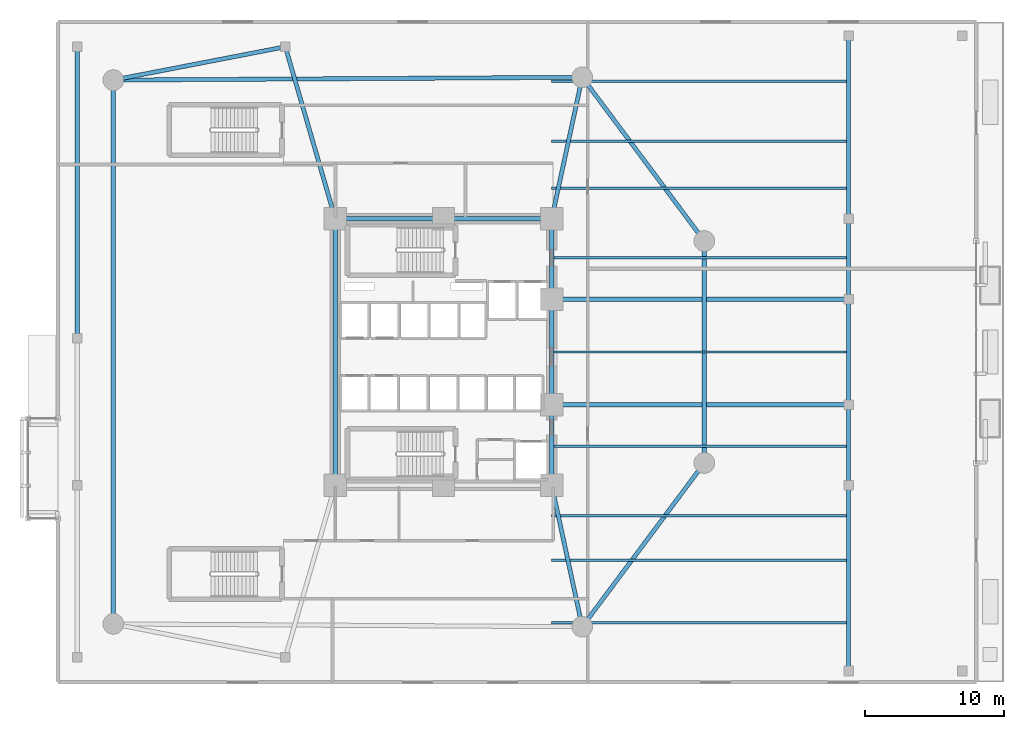
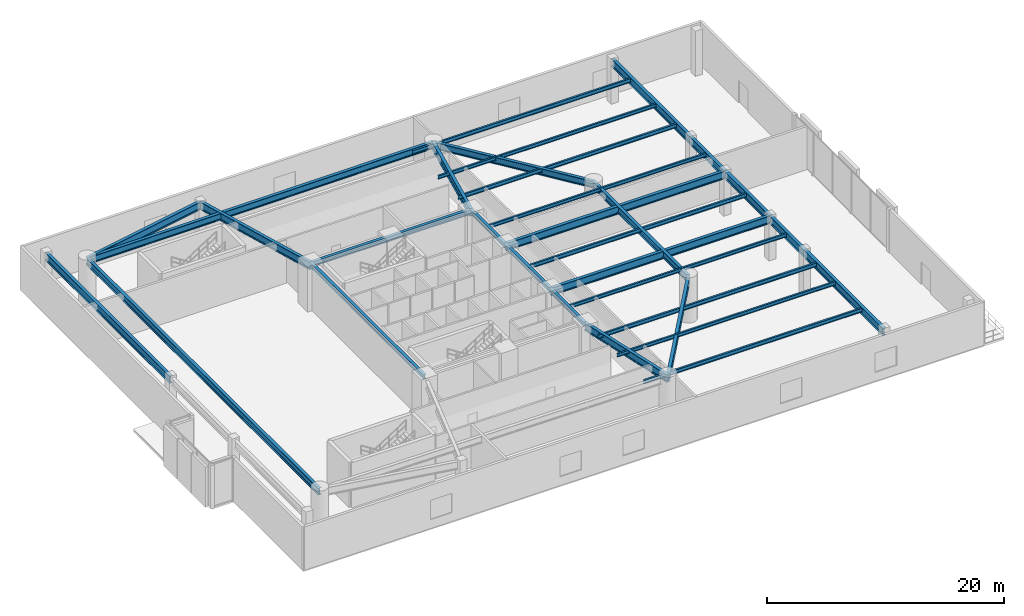
# One storey, part 5 of 15: 29 beams.
"""IFC4 building model written with IfcOpenShell, lengths in metres."""

from ifc_helpers import new_model, si_unit, direction, frame, origin, origin_2d, place, context, subcontext, project, spatial, i_section, extrude, material, material_profile, profile_set, type_object, element, save


model = new_model("IFC4")

# Units and contexts
model_context = context("Model", 3, precision=1e-05, world=origin(), true_north=direction((0.0, 1.0)))
body_context = subcontext(model_context, "Body", "Model", "MODEL_VIEW")
ifc_project = project(units=[si_unit("LENGTHUNIT", "METRE"), si_unit("AREAUNIT", "SQUARE_METRE"), si_unit("VOLUMEUNIT", "CUBIC_METRE"), si_unit("PLANEANGLEUNIT", "RADIAN"), si_unit("MASSUNIT", "GRAM", prefix="KILO")], contexts=[model_context])

# Site, building, storey
site_placement = place(None, origin())
site = spatial("IfcSite", under=ifc_project, at=site_placement, CompositionType="ELEMENT")
building_placement = place(site_placement, origin())
building = spatial("IfcBuilding", under=site, at=building_placement, Name="An Khanh Terracotta Commons", CompositionType="ELEMENT")
storey_placement = place(building_placement, frame((0.0, 0.0, 14.699951171875)))
storey = spatial("IfcBuildingStorey", under=building, at=storey_placement, Name="L04", CompositionType="ELEMENT", Elevation=14.699951171875)

# Beams
ifc_material = material(Name="Steel S355J2", Category="steel")
ifc_material_profile_1 = material_profile(ifc_material, i_section(OverallWidth=0.300048828125, OverallDepth=0.449951171875, WebThickness=0.013916015625, FlangeThickness=0.02587890625, FilletRadius=0.027099609375, at=origin_2d()), Name="HEB450")
ifc_profile_set_1 = profile_set([ifc_material_profile_1], Name="Steel S355J2")
beam_type_1 = type_object("IfcBeamType", Name="BM-HEB450", PredefinedType="BEAM", material=ifc_profile_set_1)
beam_1_placement = place(storey_placement, frame((37.199951171875, 14.39990234375, 4.22509765625), z_axis=(0.0, 1.0, 0.0), x_axis=(-1.0, 0.0, 0.0)))
element("IfcBeam", 1, at=beam_1_placement, inside=storey, type_object=beam_type_1, Name="L04 Core East Coupling Girder 1", PredefinedType="BEAM", context=body_context, shape_type="SweptSolid", body=[
    extrude(i_section(OverallWidth=0.300048828125, OverallDepth=0.449951171875, WebThickness=0.013916015625, FlangeThickness=0.02587890625, FilletRadius=0.027099609375, at=origin_2d()), origin(), (0.0, 0.0, 1.0), 5.800048828125),
])
beam_2_placement = place(storey_placement, frame((37.199951171875, 20.199951171875, 4.22509765625), z_axis=(0.0, 1.0, 0.0), x_axis=(-1.0, 0.0, 0.0)))
element("IfcBeam", 2, at=beam_2_placement, inside=storey, type_object=beam_type_1, Name="L04 Core East Coupling Girder 2", PredefinedType="BEAM", context=body_context, shape_type="SweptSolid", body=[
    extrude(i_section(OverallWidth=0.300048828125, OverallDepth=0.449951171875, WebThickness=0.013916015625, FlangeThickness=0.02587890625, FilletRadius=0.027099609375, at=origin_2d()), origin(), (0.0, 0.0, 1.0), 7.60009765625),
])
beam_3_placement = place(storey_placement, frame((37.199951171875, 27.800048828125, 4.22509765625), z_axis=(0.0, 1.0, 0.0), x_axis=(-1.0, 0.0, 0.0)))
element("IfcBeam", 3, at=beam_3_placement, inside=storey, type_object=beam_type_1, Name="L04 Core East Coupling Girder 3", PredefinedType="BEAM", context=body_context, shape_type="SweptSolid", body=[
    extrude(i_section(OverallWidth=0.300048828125, OverallDepth=0.449951171875, WebThickness=0.013916015625, FlangeThickness=0.02587890625, FilletRadius=0.027099609375, at=origin_2d()), origin(), (0.0, 0.0, 1.0), 5.800048828125),
])
beam_4_placement = place(storey_placement, frame((21.60009765625, 14.39990234375, 4.22509765625), z_axis=(0.0, 1.0, 0.0), x_axis=(-1.0, 0.0, 0.0)))
element("IfcBeam", 4, at=beam_4_placement, inside=storey, type_object=beam_type_1, Name="L04 Core West Coupling Girder", PredefinedType="BEAM", context=body_context, shape_type="SweptSolid", body=[
    extrude(i_section(OverallWidth=0.300048828125, OverallDepth=0.449951171875, WebThickness=0.013916015625, FlangeThickness=0.02587890625, FilletRadius=0.027099609375, at=origin_2d()), origin(), (0.0, 0.0, 1.0), 19.2001953125),
])
ifc_material_profile_2 = material_profile(ifc_material, i_section(OverallWidth=0.300048828125, OverallDepth=0.5, WebThickness=0.014404296875, FlangeThickness=0.028076171875, FilletRadius=0.027099609375, at=origin_2d()), Name="HEB500")
ifc_profile_set_2 = profile_set([ifc_material_profile_2], Name="Steel S355J2")
beam_type_2 = type_object("IfcBeamType", Name="BM-HEB500", PredefinedType="BEAM", material=ifc_profile_set_2)
beam_5_placement = place(storey_placement, frame((21.60009765625, 33.60009765625, 4.199951171875), z_axis=(1.0, 0.0, 0.0), x_axis=(0.0, 1.0, 0.0)))
element("IfcBeam", 5, at=beam_5_placement, inside=storey, type_object=beam_type_2, Name="L04 Core North Coupling Girder", PredefinedType="BEAM", context=body_context, shape_type="SweptSolid", body=[
    extrude(i_section(OverallWidth=0.300048828125, OverallDepth=0.5, WebThickness=0.014404296875, FlangeThickness=0.028076171875, FilletRadius=0.027099609375, at=origin_2d()), origin(), (0.0, 0.0, 1.0), 15.599853515625),
])
ifc_material_profile_3 = material_profile(ifc_material, i_section(OverallWidth=0.300048828125, OverallDepth=0.699951171875, WebThickness=0.01708984375, FlangeThickness=0.031982421875, FilletRadius=0.027099609375, at=origin_2d()), Name="HEB700")
ifc_profile_set_3 = profile_set([ifc_material_profile_3], Name="Steel S355J2")
beam_type_3 = type_object("IfcBeamType", Name="BM-HEB700", PredefinedType="BEAM", material=ifc_profile_set_3)
beam_6_placement = place(storey_placement, frame((39.39990234375, 4.199951171875, 4.10009765625), z_axis=(0.59782442166, 0.801627070942, 0.0), x_axis=(-0.801627070942, 0.59782442166, 0.0)))
element("IfcBeam", 6, at=beam_6_placement, inside=storey, type_object=beam_type_3, Name="L04 Podium Mega-Ring Girder 2", PredefinedType="BEAM", context=body_context, shape_type="SweptSolid", body=[
    extrude(i_section(OverallWidth=0.300048828125, OverallDepth=0.699951171875, WebThickness=0.01708984375, FlangeThickness=0.031982421875, FilletRadius=0.027099609375, at=origin_2d()), origin(), (0.0, 0.0, 1.0), 14.72021484375),
])
beam_7_placement = place(storey_placement, frame((48.199951171875, 16.0, 4.10009765625), z_axis=(0.0, 1.0, 0.0), x_axis=(-1.0, 0.0, 0.0)))
element("IfcBeam", 7, at=beam_7_placement, inside=storey, type_object=beam_type_3, Name="L04 Podium Mega-Ring Girder 3", PredefinedType="BEAM", context=body_context, shape_type="SweptSolid", body=[
    extrude(i_section(OverallWidth=0.300048828125, OverallDepth=0.699951171875, WebThickness=0.01708984375, FlangeThickness=0.031982421875, FilletRadius=0.027099609375, at=origin_2d()), origin(), (0.0, 0.0, 1.0), 16.0),
])
beam_8_placement = place(storey_placement, frame((48.199951171875, 32.0, 4.10009765625), z_axis=(-0.59782442166, 0.801627070942, 0.0), x_axis=(-0.801627070942, -0.59782442166, 0.0)))
element("IfcBeam", 8, at=beam_8_placement, inside=storey, type_object=beam_type_3, Name="L04 Podium Mega-Ring Girder 4", PredefinedType="BEAM", context=body_context, shape_type="SweptSolid", body=[
    extrude(i_section(OverallWidth=0.300048828125, OverallDepth=0.699951171875, WebThickness=0.01708984375, FlangeThickness=0.031982421875, FilletRadius=0.027099609375, at=origin_2d()), origin(), (0.0, 0.0, 1.0), 14.72021484375),
])
beam_9_placement = place(storey_placement, frame((39.39990234375, 43.800048828125, 4.10009765625), z_axis=(-0.999982502414, -0.005915645817, 0.0), x_axis=(0.005915645817, -0.999982502414, 0.0)))
element("IfcBeam", 9, at=beam_9_placement, inside=storey, type_object=beam_type_3, Name="L04 Podium Mega-Ring Girder 5", PredefinedType="BEAM", context=body_context, shape_type="SweptSolid", body=[
    extrude(i_section(OverallWidth=0.300048828125, OverallDepth=0.699951171875, WebThickness=0.01708984375, FlangeThickness=0.031982421875, FilletRadius=0.027099609375, at=origin_2d()), origin(), (0.0, 0.0, 1.0), 33.80029296875),
])
beam_10_placement = place(storey_placement, frame((5.60009765625, 43.60009765625, 4.10009765625), z_axis=(0.0, -1.0, 0.0), x_axis=(1.0, 0.0, 0.0)))
element("IfcBeam", 10, at=beam_10_placement, inside=storey, type_object=beam_type_3, Name="L04 Podium Mega-Ring Girder 6", PredefinedType="BEAM", context=body_context, shape_type="SweptSolid", body=[
    extrude(i_section(OverallWidth=0.300048828125, OverallDepth=0.699951171875, WebThickness=0.01708984375, FlangeThickness=0.031982421875, FilletRadius=0.027099609375, at=origin_2d()), origin(), (0.0, 0.0, 1.0), 39.2001953125),
])
ifc_material_profile_4 = material_profile(ifc_material, i_section(OverallWidth=0.300048828125, OverallDepth=0.800048828125, WebThickness=0.017578125, FlangeThickness=0.032958984375, FilletRadius=0.030029296875, at=origin_2d()), Name="HEB800")
ifc_profile_set_4 = profile_set([ifc_material_profile_4], Name="Steel S355J2")
beam_type_4 = type_object("IfcBeamType", Name="BM-HEB800", PredefinedType="BEAM", material=ifc_profile_set_4)
beam_11_placement = place(storey_placement, frame((3.0, 25.0, 4.050048828125), z_axis=(0.0, 1.0, 0.0), x_axis=(-1.0, 0.0, 0.0)))
element("IfcBeam", 11, at=beam_11_placement, inside=storey, type_object=beam_type_4, Name="L04 Primary Podium Girder 3", PredefinedType="BEAM", context=body_context, shape_type="SweptSolid", body=[
    extrude(i_section(OverallWidth=0.300048828125, OverallDepth=0.800048828125, WebThickness=0.017578125, FlangeThickness=0.032958984375, FilletRadius=0.030029296875, at=origin_2d()), origin(), (0.0, 0.0, 1.0), 21.0),
])
for number, where, z_axis, x_axis, name in (
    (12, (39.39990234375, 4.199951171875, 4.050048828125), (-0.210834365214, 0.977521800496, 0.0), (-0.977521800496, -0.210834365214, 0.0), "L04 Primary Podium Girder 6"),
    (13, (39.39990234375, 43.800048828125, 4.050048828125), (-0.210834365214, -0.977521800496, 0.0), (0.977521800496, -0.210834365214, 0.0), "L04 Primary Podium Girder 7"),
):
    element("IfcBeam", number, at=place(storey_placement, frame(where, z_axis=z_axis, x_axis=x_axis)), inside=storey, type_object=beam_type_4, Name=name, PredefinedType="BEAM", context=body_context, shape_type="SweptSolid", body=[
        extrude(i_section(OverallWidth=0.300048828125, OverallDepth=0.800048828125, WebThickness=0.017578125, FlangeThickness=0.032958984375, FilletRadius=0.030029296875, at=origin_2d()), origin(), (0.0, 0.0, 1.0), 10.4345703125),
    ])
beam_12_placement = place(storey_placement, frame((5.60009765625, 43.60009765625, 4.050048828125), z_axis=(0.981781013874, 0.190015896168, 0.0), x_axis=(-0.190015896168, 0.981781013874, 0.0)))
element("IfcBeam", 14, at=beam_12_placement, inside=storey, type_object=beam_type_4, Name="L04 Primary Podium Girder 8", PredefinedType="BEAM", context=body_context, shape_type="SweptSolid", body=[
    extrude(i_section(OverallWidth=0.300048828125, OverallDepth=0.800048828125, WebThickness=0.017578125, FlangeThickness=0.032958984375, FilletRadius=0.030029296875, at=origin_2d()), origin(), (0.0, 0.0, 1.0), 12.630126953125),
])
beam_13_placement = place(storey_placement, frame((18.0, 46.0, 4.050048828125), z_axis=(0.278819195264, -0.960343613689, 0.0), x_axis=(0.960343613689, 0.278819195264, 0.0)))
element("IfcBeam", 15, at=beam_13_placement, inside=storey, type_object=beam_type_4, Name="L04 Primary Podium Girder 9", PredefinedType="BEAM", context=body_context, shape_type="SweptSolid", body=[
    extrude(i_section(OverallWidth=0.300048828125, OverallDepth=0.800048828125, WebThickness=0.017578125, FlangeThickness=0.032958984375, FilletRadius=0.030029296875, at=origin_2d()), origin(), (0.0, 0.0, 1.0), 12.911865234375),
])
beam_14_placement = place(storey_placement, frame((58.60009765625, 20.199951171875, 4.050048828125), z_axis=(0.0, 1.0, 0.0), x_axis=(-1.0, 0.0, 0.0)))
element("IfcBeam", 16, at=beam_14_placement, inside=storey, type_object=beam_type_4, Name="L04 Primary Podium Girder 10", PredefinedType="BEAM", context=body_context, shape_type="SweptSolid", body=[
    extrude(i_section(OverallWidth=0.300048828125, OverallDepth=0.800048828125, WebThickness=0.017578125, FlangeThickness=0.032958984375, FilletRadius=0.030029296875, at=origin_2d()), origin(), (0.0, 0.0, 1.0), 7.60009765625),
])
beam_15_placement = place(storey_placement, frame((58.60009765625, 1.0, 4.050048828125), z_axis=(0.0, 1.0, 0.0), x_axis=(-1.0, 0.0, 0.0)))
element("IfcBeam", 17, at=beam_15_placement, inside=storey, type_object=beam_type_4, Name="L04 Primary Podium Girder 11", PredefinedType="BEAM", context=body_context, shape_type="SweptSolid", body=[
    extrude(i_section(OverallWidth=0.300048828125, OverallDepth=0.800048828125, WebThickness=0.017578125, FlangeThickness=0.032958984375, FilletRadius=0.030029296875, at=origin_2d()), origin(), (0.0, 0.0, 1.0), 19.199951171875),
])
beam_16_placement = place(storey_placement, frame((58.60009765625, 27.800048828125, 4.050048828125), z_axis=(0.0, 1.0, 0.0), x_axis=(-1.0, 0.0, 0.0)))
element("IfcBeam", 18, at=beam_16_placement, inside=storey, type_object=beam_type_4, Name="L04 Primary Podium Girder 12", PredefinedType="BEAM", context=body_context, shape_type="SweptSolid", body=[
    extrude(i_section(OverallWidth=0.300048828125, OverallDepth=0.800048828125, WebThickness=0.017578125, FlangeThickness=0.032958984375, FilletRadius=0.030029296875, at=origin_2d()), origin(), (0.0, 0.0, 1.0), 19.0),
])
for number, where, z_axis, x_axis, name in (
    (19, (37.199951171875, 20.199951171875, 4.050048828125), (1.0, 0.0, 0.0), (0.0, 1.0, 0.0), "L04 Primary Podium Girder 16"),
    (20, (37.199951171875, 27.800048828125, 4.050048828125), (1.0, 0.0, 0.0), (0.0, 1.0, 0.0), "L04 Primary Podium Girder 17"),
):
    element("IfcBeam", number, at=place(storey_placement, frame(where, z_axis=z_axis, x_axis=x_axis)), inside=storey, type_object=beam_type_4, Name=name, PredefinedType="BEAM", context=body_context, shape_type="SweptSolid", body=[
        extrude(i_section(OverallWidth=0.300048828125, OverallDepth=0.800048828125, WebThickness=0.017578125, FlangeThickness=0.032958984375, FilletRadius=0.030029296875, at=origin_2d()), origin(), (0.0, 0.0, 1.0), 21.400146484375),
    ])
ifc_material_profile_5 = material_profile(ifc_material, i_section(OverallWidth=0.169921875, OverallDepth=0.360107421875, WebThickness=0.008056640625, FlangeThickness=0.0126953125, FilletRadius=0.01806640625, at=origin_2d()), Name="IPE360")
ifc_profile_set_5 = profile_set([ifc_material_profile_5], Name="Steel S355J2")
beam_type_5 = type_object("IfcBeamType", Name="BM-IPE360", PredefinedType="JOIST", material=ifc_profile_set_5)
for number, where, z_axis, x_axis, name in (
    (21, (37.199951171875, 9.0, 4.27001953125), (1.0, 0.0, 0.0), (0.0, 1.0, 0.0), "L04 East Composite Floor Joist 2"),
    (22, (37.199951171875, 17.199951171875, 4.27001953125), (1.0, 0.0, 0.0), (0.0, 1.0, 0.0), "L04 East Composite Floor Joist 4"),
    (23, (37.199951171875, 30.800048828125, 4.27001953125), (1.0, 0.0, 0.0), (0.0, 1.0, 0.0), "L04 East Composite Floor Joist 6"),
    (24, (37.199951171875, 39.199951171875, 4.27001953125), (1.0, 0.0, 0.0), (0.0, 1.0, 0.0), "L04 East Composite Floor Joist 8"),
):
    element("IfcBeam", number, at=place(storey_placement, frame(where, z_axis=z_axis, x_axis=x_axis)), inside=storey, type_object=beam_type_5, Name=name, PredefinedType="JOIST", context=body_context, shape_type="SweptSolid", body=[
        extrude(i_section(OverallWidth=0.169921875, OverallDepth=0.360107421875, WebThickness=0.008056640625, FlangeThickness=0.0126953125, FilletRadius=0.01806640625, at=origin_2d()), origin(), (0.0, 0.0, 1.0), 21.25),
    ])
ifc_material_profile_6 = material_profile(ifc_material, i_section(OverallWidth=0.179931640625, OverallDepth=0.39990234375, WebThickness=0.008544921875, FlangeThickness=0.013427734375, FilletRadius=0.02099609375, at=origin_2d()), Name="IPE400")
ifc_profile_set_6 = profile_set([ifc_material_profile_6], Name="Steel S355J2")
beam_type_6 = type_object("IfcBeamType", Name="BM-IPE400", PredefinedType="JOIST", material=ifc_profile_set_6)
for number, where, z_axis, x_axis, name in (
    (25, (37.199951171875, 4.5, 4.25), (1.0, 0.0, 0.0), (0.0, 1.0, 0.0), "L04 East Composite Floor Joist 1"),
    (26, (37.199951171875, 12.199951171875, 4.25), (1.0, 0.0, 0.0), (0.0, 1.0, 0.0), "L04 East Composite Floor Joist 3"),
    (27, (37.199951171875, 24.0, 4.25), (1.0, 0.0, 0.0), (0.0, 1.0, 0.0), "L04 East Composite Floor Joist 5"),
    (28, (37.199951171875, 35.800048828125, 4.25), (1.0, 0.0, 0.0), (0.0, 1.0, 0.0), "L04 East Composite Floor Joist 7"),
    (29, (37.199951171875, 43.5, 4.25), (1.0, 0.0, 0.0), (0.0, 1.0, 0.0), "L04 East Composite Floor Joist 9"),
):
    element("IfcBeam", number, at=place(storey_placement, frame(where, z_axis=z_axis, x_axis=x_axis)), inside=storey, type_object=beam_type_6, Name=name, PredefinedType="JOIST", context=body_context, shape_type="SweptSolid", body=[
        extrude(i_section(OverallWidth=0.179931640625, OverallDepth=0.39990234375, WebThickness=0.008544921875, FlangeThickness=0.013427734375, FilletRadius=0.02099609375, at=origin_2d()), origin(), (0.0, 0.0, 1.0), 21.25),
    ])

save(model, "model.ifc")
